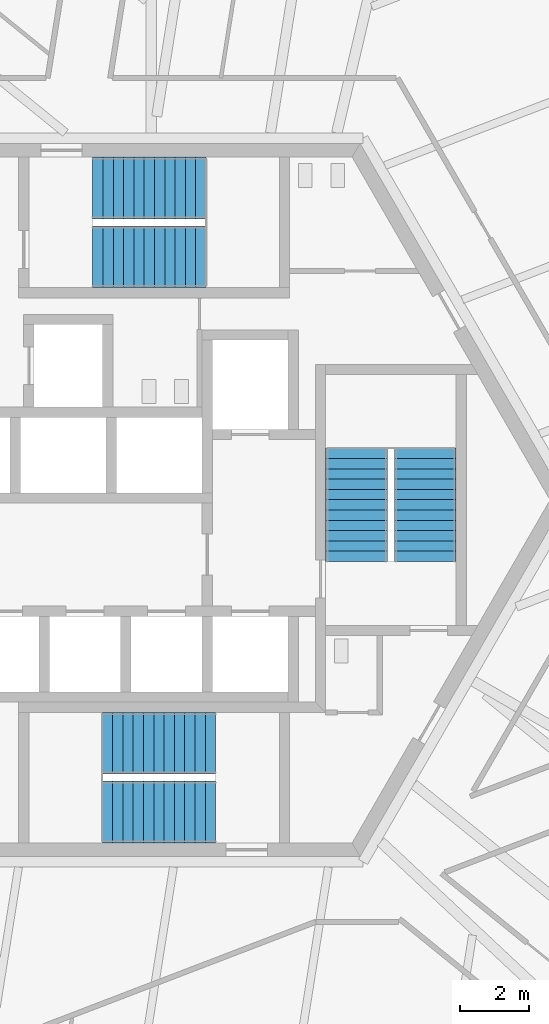
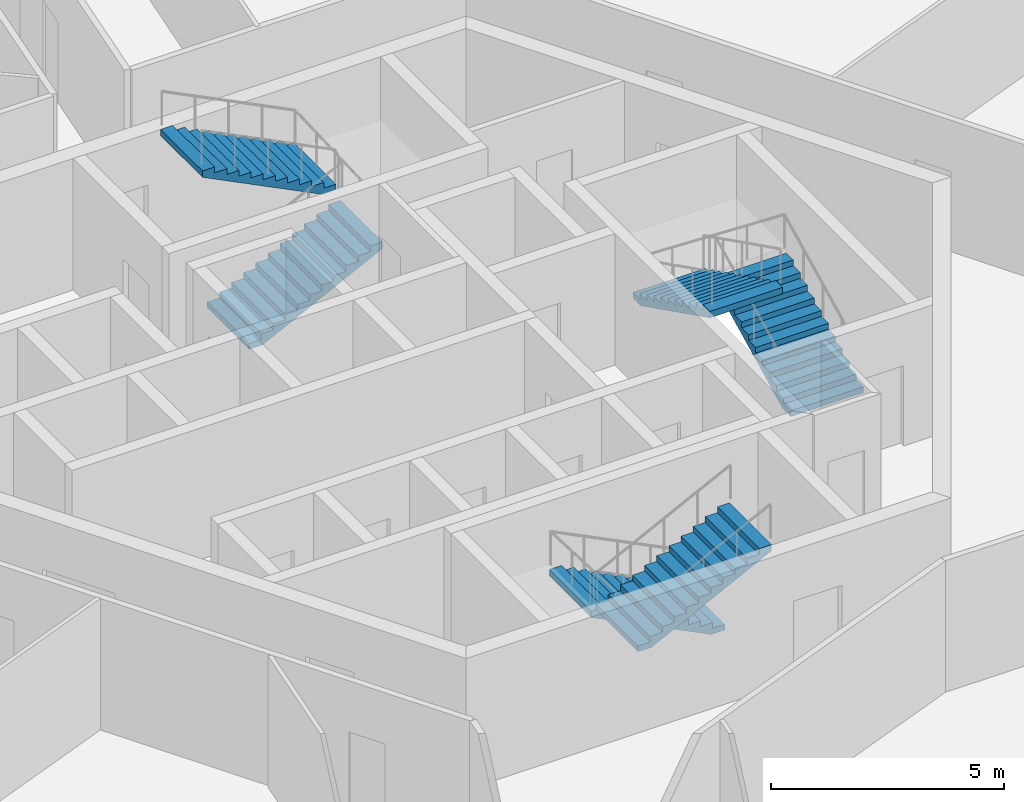
# One storey, part 15 of 19: 6 stair flights, 3 elements without a shape of their own.
"""IFC4 building model written with IfcOpenShell, lengths in metres."""

from ifc_helpers import new_model, si_unit, direction, frame, origin, place, context, subcontext, project, spatial, polyline, outline, extrude, source, transform, mapped, material, type_object, element, aggregate, save


model = new_model("IFC4")

# Units and contexts
model_context = context("Model", 3, precision=1e-05, world=origin(), true_north=direction((0.0, 1.0)))
body_context = subcontext(model_context, "Body", "Model", "MODEL_VIEW")
ifc_project = project(units=[si_unit("LENGTHUNIT", "METRE"), si_unit("AREAUNIT", "SQUARE_METRE"), si_unit("VOLUMEUNIT", "CUBIC_METRE"), si_unit("PLANEANGLEUNIT", "RADIAN"), si_unit("MASSUNIT", "GRAM", prefix="KILO")], contexts=[model_context])

# Site, building, storey
site_placement = place(None, origin())
site = spatial("IfcSite", under=ifc_project, at=site_placement, CompositionType="ELEMENT")
building_placement = place(site_placement, origin())
building = spatial("IfcBuilding", under=site, at=building_placement, Name="Triune Harvest Tower", CompositionType="ELEMENT")
storey_placement = place(building_placement, frame((0.0, 0.0, 142.5)))
storey = spatial("IfcBuildingStorey", under=building, at=storey_placement, Name="L36", CompositionType="ELEMENT", Elevation=142.5)

# Stair, stair flights
ifc_material_1 = material(Name="Concrete 40 MPa", Category="concrete")
stair_type = type_object("IfcStairType", Name="Exit stair 1800 half turn", PredefinedType="HALF_TURN_STAIR", material=ifc_material_1)
stair_1_placement = place(storey_placement, origin())
stair_1 = element("IfcStair", 1, at=stair_1_placement, inside=storey, type_object=stair_type, Name="Exit stair north", PredefinedType="HALF_TURN_STAIR")
ifc_material_2 = material(Name="Concrete 40 MPa", Category="concrete")
stair_flight_type = type_object("IfcStairFlightType", Name="Stair flight 1800", PredefinedType="STRAIGHT", material=ifc_material_2)
shared_shape = source(origin(), body_context, "Body", "SweptSolid", [
    extrude(outline(polyline([(0.0, 0.0), (0.0, 0.14990234375), (0.300048828125, 0.14990234375), (0.300048828125, 0.300048828125), (0.60009765625, 0.300048828125), (0.60009765625, 0.449951171875), (0.89990234375, 0.449951171875), (0.89990234375, 0.60009765625), (1.199951171875, 0.60009765625), (1.199951171875, 0.75), (1.5, 0.75), (1.5, 0.89990234375), (1.800048828125, 0.89990234375), (1.800048828125, 1.050048828125), (2.10009765625, 1.050048828125), (2.10009765625, 1.199951171875), (2.39990234375, 1.199951171875), (2.39990234375, 1.35009765625), (2.699951171875, 1.35009765625), (2.699951171875, 1.5), (3.0, 1.5), (3.0, 1.64990234375), (3.300048828125, 1.64990234375), (3.300048828125, 1.800048828125), (3.300048828125, 1.482421875), (0.335205078125, 0.0), (0.0, 0.0)])), frame((0.0, 0.89990234375, 0.0), z_axis=(0.0, -1.0, 0.0), x_axis=(1.0, 0.0, 0.0)), (0.0, 0.0, 1.0), 1.800048828125),
])
stair_flight_1_placement = place(storey_placement, frame((-1.7900390625, 7.090087890625, 0.0), z_axis=(0.0, 0.0, 1.0), x_axis=(1.0, 0.0, 0.0)))
stair_flight_1 = element("IfcStairFlight", 2, at=stair_flight_1_placement, type_object=stair_flight_type, Name="ST-1 flight 1", NumberOfRisers=12, NumberOfTreads=11, PredefinedType="STRAIGHT", RiserHeight=0.15, TreadLength=0.3, context=body_context, shape_type="MappedRepresentation", body=[
    mapped(shared_shape, transform((0.0, 0.0, 0.0), scale=1.0)),
])
stair_flight_2_placement = place(storey_placement, frame((1.510009765625, 9.090087890625, 1.800048828125), z_axis=(0.0, 0.0, 1.0), x_axis=(-1.0, 0.0, 0.0)))
stair_flight_2 = element("IfcStairFlight", 3, at=stair_flight_2_placement, type_object=stair_flight_type, Name="ST-1 flight 2", NumberOfRisers=12, NumberOfTreads=11, PredefinedType="STRAIGHT", RiserHeight=0.15, TreadLength=0.3, context=body_context, shape_type="MappedRepresentation", body=[
    mapped(shared_shape, transform((0.0, 0.0, 0.0), scale=1.0)),
])
aggregate(stair_1, [stair_flight_1, stair_flight_2])

stair_2_placement = place(storey_placement, origin())
stair_2 = element("IfcStair", 4, at=stair_2_placement, inside=storey, type_object=stair_type, Name="Exit stair south", PredefinedType="HALF_TURN_STAIR")
stair_flight_3_placement = place(storey_placement, frame((1.7900390625, -7.090087890625, 0.0), z_axis=(0.0, 0.0, 1.0), x_axis=(-1.0, 0.0, 0.0)))
stair_flight_3 = element("IfcStairFlight", 5, at=stair_flight_3_placement, type_object=stair_flight_type, Name="ST-2 flight 1", NumberOfRisers=12, NumberOfTreads=11, PredefinedType="STRAIGHT", RiserHeight=0.15, TreadLength=0.3, context=body_context, shape_type="MappedRepresentation", body=[
    mapped(shared_shape, transform((0.0, 0.0, 0.0), scale=1.0)),
])
stair_flight_4_placement = place(storey_placement, frame((-1.510009765625, -9.090087890625, 1.800048828125), z_axis=(0.0, 0.0, 1.0), x_axis=(1.0, 0.0, 0.0)))
stair_flight_4 = element("IfcStairFlight", 6, at=stair_flight_4_placement, type_object=stair_flight_type, Name="ST-2 flight 2", NumberOfRisers=12, NumberOfTreads=11, PredefinedType="STRAIGHT", RiserHeight=0.15, TreadLength=0.3, context=body_context, shape_type="MappedRepresentation", body=[
    mapped(shared_shape, transform((0.0, 0.0, 0.0), scale=1.0)),
])
aggregate(stair_2, [stair_flight_3, stair_flight_4])

stair_3_placement = place(storey_placement, origin())
stair_3 = element("IfcStair", 7, at=stair_3_placement, inside=storey, type_object=stair_type, Name="Exit stair east", PredefinedType="HALF_TURN_STAIR")
stair_flight_5_placement = place(storey_placement, frame((7.89990234375, -1.7900390625, 0.0), z_axis=(0.0, 0.0, 1.0), x_axis=(0.0, 1.0, 0.0)))
stair_flight_5 = element("IfcStairFlight", 8, at=stair_flight_5_placement, type_object=stair_flight_type, Name="ST-3 flight 1", NumberOfRisers=12, NumberOfTreads=11, PredefinedType="STRAIGHT", RiserHeight=0.15, TreadLength=0.3, context=body_context, shape_type="MappedRepresentation", body=[
    mapped(shared_shape, transform((0.0, 0.0, 0.0), scale=1.0)),
])
stair_flight_6_placement = place(storey_placement, frame((5.89990234375, 1.510009765625, 1.800048828125), z_axis=(0.0, 0.0, 1.0), x_axis=(0.0, -1.0, 0.0)))
stair_flight_6 = element("IfcStairFlight", 9, at=stair_flight_6_placement, type_object=stair_flight_type, Name="ST-3 flight 2", NumberOfRisers=12, NumberOfTreads=11, PredefinedType="STRAIGHT", RiserHeight=0.15, TreadLength=0.3, context=body_context, shape_type="MappedRepresentation", body=[
    mapped(shared_shape, transform((0.0, 0.0, 0.0), scale=1.0)),
])
aggregate(stair_3, [stair_flight_5, stair_flight_6])

save(model, "model.ifc")
